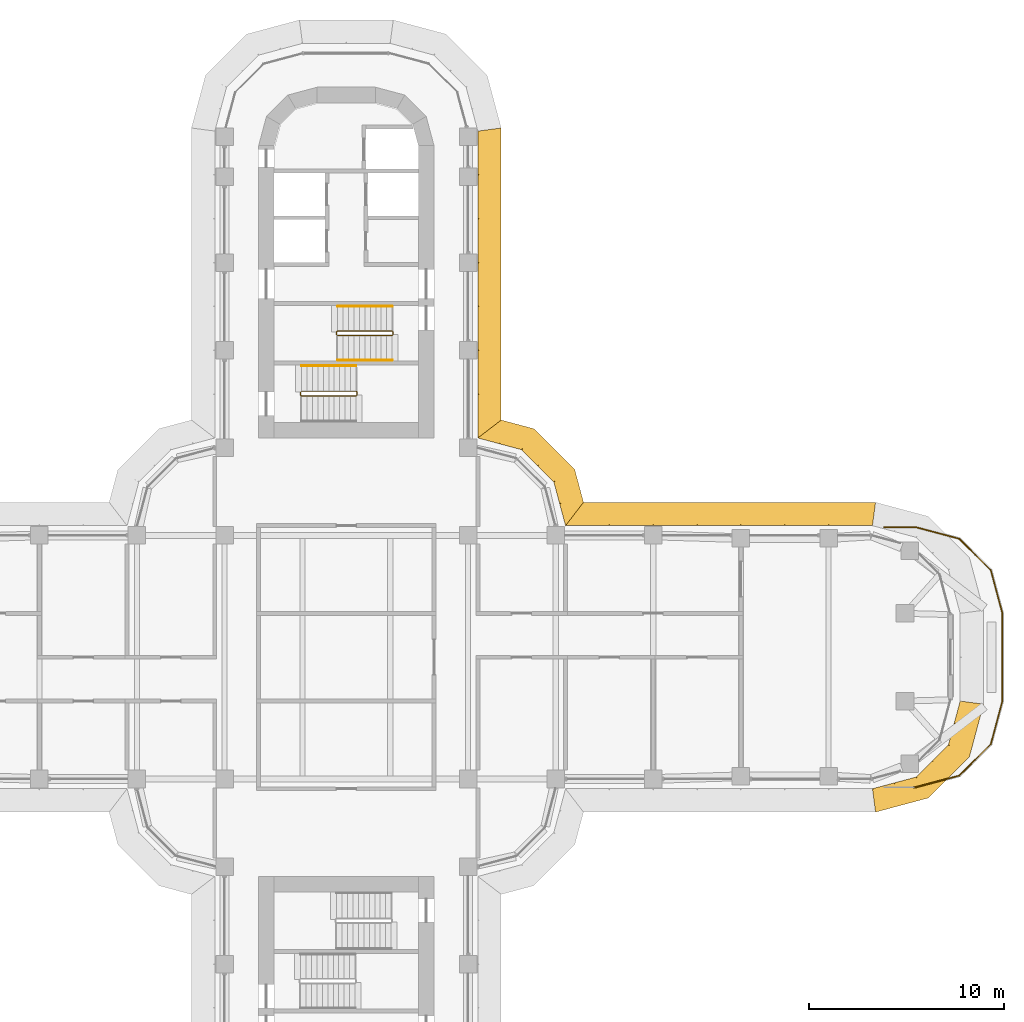
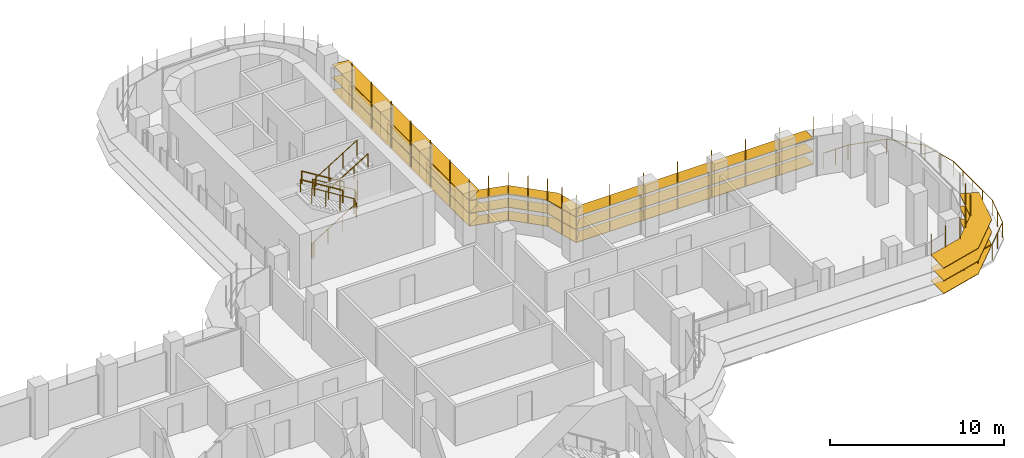
# One storey, part 21 of 22: 6 railings, 4 shading devices.
"""IFC4 building model written with IfcOpenShell, lengths in metres."""

from ifc_helpers import new_model, si_unit, direction, frame, origin, origin_2d, place, context, subcontext, project, spatial, polyline, circle, outline, extrude, faceted_brep, source, transform, mapped, material, type_object, element, save


model = new_model("IFC4")

# Units and contexts
model_context = context("Model", 3, precision=1e-05, world=origin(), true_north=direction((0.0, 1.0)))
body_context = subcontext(model_context, "Body", "Model", "MODEL_VIEW")
ifc_project = project(units=[si_unit("LENGTHUNIT", "METRE"), si_unit("AREAUNIT", "SQUARE_METRE"), si_unit("VOLUMEUNIT", "CUBIC_METRE"), si_unit("PLANEANGLEUNIT", "RADIAN"), si_unit("MASSUNIT", "GRAM", prefix="KILO")], contexts=[model_context])

# Site, building, storey
site_placement = place(None, origin())
site = spatial("IfcSite", under=ifc_project, at=site_placement, CompositionType="ELEMENT")
building_placement = place(site_placement, origin())
building = spatial("IfcBuilding", under=site, at=building_placement, Name="Zarbagh Exchange Tower", CompositionType="ELEMENT")
storey_placement = place(building_placement, frame((0.0, 0.0, 124.60009765625)))
storey = spatial("IfcBuildingStorey", under=building, at=storey_placement, Name="L29", CompositionType="ELEMENT", Elevation=124.60009765625)

# Railings
ifc_material_1 = material(Name="Stainless steel", Category="steel")
railing_type_1 = type_object("IfcRailingType", Name="Stair guard 1100 mm", PredefinedType="GUARDRAIL", material=ifc_material_1)
railing_1_placement = place(storey_placement, frame((-0.449951171875, 16.5, 2.072509765625)))
element("IfcRailing", 1, at=railing_1_placement, inside=storey, type_object=railing_type_1, Name="ST1 stair guard 1", PredefinedType="GUARDRAIL", context=body_context, shape_type="SweptSolid", body=[
    extrude(circle(Radius=0.02392578125, at=origin_2d()), frame((0.0, 0.0, 1.076171875), z_axis=(0.851089632645, 0.0, 0.525020415988), x_axis=(0.0, 1.0, 0.0)), (0.0, 0.0, 1.0), 3.2900390625),
    extrude(circle(Radius=0.02392578125, at=origin_2d()), frame((2.800048828125, 0.0, 2.80322265625), z_axis=(0.013104908129, 0.013169147875, -0.999827402569), x_axis=(-0.708833529934, 0.705375805398, 0.0)), (0.0, 0.0, 1.0), 3.800537109375),
    extrude(circle(Radius=0.02392578125, at=origin_2d()), frame((2.849853515625, 0.050048828125, -0.99658203125), z_axis=(0.0, 1.0, 0.0), x_axis=(-1.0, 0.0, 0.0)), (0.0, 0.0, 1.0), 0.14990234375),
    extrude(circle(Radius=0.02392578125, at=origin_2d()), frame((2.849853515625, 0.199951171875, -0.99658203125), z_axis=(-0.267062837333, 0.268371968888, 0.925556009775), x_axis=(-0.708833529934, -0.705375805398, 0.0)), (0.0, 0.0, 1.0), 0.1865234375),
    extrude(circle(Radius=0.02392578125, at=origin_2d()), frame((2.800048828125, 0.25, -0.82373046875), z_axis=(-0.851089632645, 0.0, 0.525020415988), x_axis=(0.0, -1.0, 0.0)), (0.0, 0.0, 1.0), 3.2900390625),
    extrude(circle(Radius=0.02392578125, at=origin_2d()), frame((0.0, 0.25, 0.9033203125), z_axis=(-0.707106781187, -0.707106781187, 0.0), x_axis=(0.707106781187, -0.707106781187, 0.0)), (0.0, 0.0, 1.0), 0.07080078125),
    extrude(circle(Radius=0.02392578125, at=origin_2d()), frame((-0.050048828125, 0.199951171875, 0.9033203125), z_axis=(0.0, -1.0, 0.0), x_axis=(1.0, 0.0, 0.0)), (0.0, 0.0, 1.0), 0.14990234375),
    extrude(circle(Radius=0.02099609375, at=origin_2d()), origin(), (0.0, 0.0, 1.0), 1.052001953125),
    extrude(circle(Radius=0.02099609375, at=origin_2d()), frame((0.933349609375, 0.0, 0.57568359375)), (0.0, 0.0, 1.0), 1.052001953125),
    extrude(circle(Radius=0.02099609375, at=origin_2d()), frame((1.86669921875, 0.0, 1.151611328125)), (0.0, 0.0, 1.0), 1.052001953125),
    extrude(circle(Radius=0.02099609375, at=origin_2d()), frame((2.800048828125, 0.0, 1.727294921875)), (0.0, 0.0, 1.0), 1.052001953125),
    extrude(circle(Radius=0.02099609375, at=origin_2d()), frame((2.8125, 0.012451171875, 0.77734375)), (0.0, 0.0, 1.0), 1.052001953125),
    extrude(circle(Radius=0.02099609375, at=origin_2d()), frame((2.824951171875, 0.02490234375, -0.172607421875)), (0.0, 0.0, 1.0), 1.052001953125),
    extrude(circle(Radius=0.02099609375, at=origin_2d()), frame((2.83740234375, 0.03759765625, -1.12255859375)), (0.0, 0.0, 1.0), 1.052001953125),
    extrude(circle(Radius=0.02099609375, at=origin_2d()), frame((2.849853515625, 0.050048828125, -2.072509765625)), (0.0, 0.0, 1.0), 1.052001953125),
    extrude(circle(Radius=0.02099609375, at=origin_2d()), frame((2.849853515625, 0.199951171875, -2.072509765625)), (0.0, 0.0, 1.0), 1.052001953125),
    extrude(circle(Radius=0.02099609375, at=origin_2d()), frame((2.800048828125, 0.25, -1.89990234375)), (0.0, 0.0, 1.0), 1.052001953125),
    extrude(circle(Radius=0.02099609375, at=origin_2d()), frame((1.86669921875, 0.25, -1.32421875)), (0.0, 0.0, 1.0), 1.052001953125),
    extrude(circle(Radius=0.02099609375, at=origin_2d()), frame((0.933349609375, 0.25, -0.748291015625)), (0.0, 0.0, 1.0), 1.052001953125),
    extrude(circle(Radius=0.02099609375, at=origin_2d()), frame((0.0, 0.25, -0.172607421875)), (0.0, 0.0, 1.0), 1.052001953125),
    extrude(circle(Radius=0.02099609375, at=origin_2d()), frame((-0.050048828125, 0.199951171875, -0.172607421875)), (0.0, 0.0, 1.0), 1.052001953125),
    extrude(circle(Radius=0.02099609375, at=origin_2d()), frame((-0.050048828125, 0.050048828125, -0.172607421875)), (0.0, 0.0, 1.0), 1.052001953125),
])
railing_2_placement = place(storey_placement, frame((-2.35009765625, 13.60009765625, 0.0)))
element("IfcRailing", 2, at=railing_2_placement, inside=storey, type_object=railing_type_1, Name="ST2 stair guard 1", PredefinedType="GUARDRAIL", context=body_context, shape_type="SweptSolid", body=[
    extrude(circle(Radius=0.02392578125, at=origin_2d()), frame((0.0, 0.0, 1.076171875), z_axis=(0.0, -1.0, 0.0), x_axis=(1.0, 0.0, 0.0)), (0.0, 0.0, 1.0), 0.150146484375),
    extrude(circle(Radius=0.02392578125, at=origin_2d()), frame((0.0, -0.150146484375, 1.076171875), z_axis=(0.268277960024, -0.268277960024, 0.925231793839), x_axis=(0.707106781187, 0.707106781187, 0.0)), (0.0, 0.0, 1.0), 0.1865234375),
    extrude(circle(Radius=0.02392578125, at=origin_2d()), frame((0.050048828125, -0.2001953125, 1.24853515625), z_axis=(0.851089632645, 0.0, 0.525020415988), x_axis=(0.0, 1.0, 0.0)), (0.0, 0.0, 1.0), 3.2900390625),
    extrude(circle(Radius=0.02392578125, at=origin_2d()), frame((2.85009765625, -0.2001953125, 2.97607421875), z_axis=(0.707106781187, 0.707106781187, 0.0), x_axis=(-0.707106781187, 0.707106781187, 0.0)), (0.0, 0.0, 1.0), 0.07080078125),
    extrude(circle(Radius=0.02392578125, at=origin_2d()), frame((2.900146484375, -0.150146484375, 2.97607421875), z_axis=(0.0, 1.0, 0.0), x_axis=(-1.0, 0.0, 0.0)), (0.0, 0.0, 1.0), 0.150146484375),
    extrude(circle(Radius=0.02392578125, at=origin_2d()), frame((2.900146484375, 0.0, 2.97607421875), z_axis=(-0.268371968888, 0.267062837333, 0.925556009775), x_axis=(-0.705375805398, -0.708833529934, 0.0)), (0.0, 0.0, 1.0), 0.1865234375),
    extrude(circle(Radius=0.02392578125, at=origin_2d()), frame((2.85009765625, 0.0498046875, 3.1484375), z_axis=(-0.851089632645, 0.0, 0.525020415988), x_axis=(0.0, -1.0, 0.0)), (0.0, 0.0, 1.0), 3.2900390625),
    extrude(circle(Radius=0.02099609375, at=origin_2d()), origin(), (0.0, 0.0, 1.0), 1.052001953125),
    extrude(circle(Radius=0.02099609375, at=origin_2d()), frame((0.0, -0.150146484375, 0.0)), (0.0, 0.0, 1.0), 1.052001953125),
    extrude(circle(Radius=0.02099609375, at=origin_2d()), frame((0.050048828125, -0.2001953125, 0.172607421875)), (0.0, 0.0, 1.0), 1.052001953125),
    extrude(circle(Radius=0.02099609375, at=origin_2d()), frame((0.9833984375, -0.2001953125, 0.748291015625)), (0.0, 0.0, 1.0), 1.052001953125),
    extrude(circle(Radius=0.02099609375, at=origin_2d()), frame((1.916748046875, -0.2001953125, 1.32421875)), (0.0, 0.0, 1.0), 1.052001953125),
    extrude(circle(Radius=0.02099609375, at=origin_2d()), frame((2.85009765625, -0.2001953125, 1.89990234375)), (0.0, 0.0, 1.0), 1.052001953125),
    extrude(circle(Radius=0.02099609375, at=origin_2d()), frame((2.900146484375, -0.150146484375, 1.89990234375)), (0.0, 0.0, 1.0), 1.052001953125),
    extrude(circle(Radius=0.02099609375, at=origin_2d()), frame((2.900146484375, 0.0, 1.89990234375)), (0.0, 0.0, 1.0), 1.052001953125),
    extrude(circle(Radius=0.02099609375, at=origin_2d()), frame((2.85009765625, 0.0498046875, 2.072509765625)), (0.0, 0.0, 1.0), 1.052001953125),
    extrude(circle(Radius=0.02099609375, at=origin_2d()), frame((1.916748046875, 0.0498046875, 2.648193359375)), (0.0, 0.0, 1.0), 1.052001953125),
    extrude(circle(Radius=0.02099609375, at=origin_2d()), frame((0.9833984375, 0.0498046875, 3.22412109375)), (0.0, 0.0, 1.0), 1.052001953125),
    extrude(circle(Radius=0.02099609375, at=origin_2d()), frame((0.050048828125, 0.0498046875, 3.7998046875)), (0.0, 0.0, 1.0), 1.052001953125),
])
railing_type_2 = type_object("IfcRailingType", Name="Stair handrail 900 mm", PredefinedType="HANDRAIL", material=ifc_material_1)
railing_3_placement = place(storey_placement, frame((2.35009765625, 18.0, 0.172607421875)))
element("IfcRailing", 3, at=railing_3_placement, inside=storey, type_object=railing_type_2, Name="ST1 stair handrail 1", PredefinedType="HANDRAIL", context=body_context, shape_type="SweptSolid", body=[
    extrude(circle(Radius=0.02392578125, at=origin_2d()), frame((0.0, 0.0, 0.8759765625), z_axis=(-0.851089632645, 0.0, 0.525020415988), x_axis=(0.0, -1.0, 0.0)), (0.0, 0.0, 1.0), 3.2900390625),
    extrude(circle(Radius=0.02099609375, at=origin_2d()), origin(), (0.0, 0.0, 1.0), 0.851806640625),
    extrude(circle(Radius=0.02099609375, at=origin_2d()), frame((-0.933349609375, 0.0, 0.57568359375)), (0.0, 0.0, 1.0), 0.851806640625),
    extrude(circle(Radius=0.02099609375, at=origin_2d()), frame((-1.86669921875, 0.0, 1.151611328125)), (0.0, 0.0, 1.0), 0.851806640625),
    extrude(circle(Radius=0.02099609375, at=origin_2d()), frame((-2.800048828125, 0.0, 1.727294921875)), (0.0, 0.0, 1.0), 0.851806640625),
])
railing_4_placement = place(storey_placement, frame((-0.449951171875, 15.25, 2.072509765625)))
element("IfcRailing", 4, at=railing_4_placement, inside=storey, type_object=railing_type_2, Name="ST1 stair handrail 2", PredefinedType="HANDRAIL", context=body_context, shape_type="SweptSolid", body=[
    extrude(circle(Radius=0.02392578125, at=origin_2d()), frame((0.0, 0.0, 0.8759765625), z_axis=(0.851089632645, 0.0, 0.525020415988), x_axis=(0.0, 1.0, 0.0)), (0.0, 0.0, 1.0), 3.2900390625),
    extrude(circle(Radius=0.02099609375, at=origin_2d()), origin(), (0.0, 0.0, 1.0), 0.851806640625),
    extrude(circle(Radius=0.02099609375, at=origin_2d()), frame((0.933349609375, 0.0, 0.57568359375)), (0.0, 0.0, 1.0), 0.851806640625),
    extrude(circle(Radius=0.02099609375, at=origin_2d()), frame((1.86669921875, 0.0, 1.151611328125)), (0.0, 0.0, 1.0), 0.851806640625),
    extrude(circle(Radius=0.02099609375, at=origin_2d()), frame((2.800048828125, 0.0, 1.727294921875)), (0.0, 0.0, 1.0), 0.851806640625),
])
railing_5_placement = place(storey_placement, frame((0.5, 14.949951171875, 2.072509765625)))
element("IfcRailing", 5, at=railing_5_placement, inside=storey, type_object=railing_type_2, Name="ST2 stair handrail 2", PredefinedType="HANDRAIL", context=body_context, shape_type="SweptSolid", body=[
    extrude(circle(Radius=0.02392578125, at=origin_2d()), frame((0.0, 0.0, 0.8759765625), z_axis=(-0.851089632645, 0.0, 0.525020415988), x_axis=(0.0, -1.0, 0.0)), (0.0, 0.0, 1.0), 3.2900390625),
    extrude(circle(Radius=0.02099609375, at=origin_2d()), origin(), (0.0, 0.0, 1.0), 0.851806640625),
    extrude(circle(Radius=0.02099609375, at=origin_2d()), frame((-0.933349609375, 0.0, 0.57568359375)), (0.0, 0.0, 1.0), 0.851806640625),
    extrude(circle(Radius=0.02099609375, at=origin_2d()), frame((-1.86669921875, 0.0, 1.151611328125)), (0.0, 0.0, 1.0), 0.851806640625),
    extrude(circle(Radius=0.02099609375, at=origin_2d()), frame((-2.800048828125, 0.0, 1.727294921875)), (0.0, 0.0, 1.0), 0.851806640625),
])
ifc_material_2 = material(Name="Stainless steel and laminated glass", Category="steel")
railing_type_3 = type_object("IfcRailingType", Name="Terrace guard, glass balustrade 1.1 m", PredefinedType="GUARDRAIL", material=ifc_material_2)
railing_6_placement = place(storey_placement, frame((27.607666015625, 6.669921875, 0.0)))
element("IfcRailing", 6, at=railing_6_placement, inside=storey, type_object=railing_type_3, Name="TG01 terrace guard", PredefinedType="GUARDRAIL", context=body_context, shape_type="SweptSolid", body=[
    extrude(circle(Radius=0.02490234375, at=origin_2d()), frame((0.0, 0.0, 1.0751953125), z_axis=(1.0, 0.0, 0.0), x_axis=(0.0, 1.0, 0.0)), (0.0, 0.0, 1.0), 1.6318359375),
    extrude(circle(Radius=0.02490234375, at=origin_2d()), frame((1.6318359375, 0.0, 1.0751953125), z_axis=(0.965936192935, -0.258780353152, 0.0), x_axis=(0.258780353152, 0.965936192935, 0.0)), (0.0, 0.0, 1.0), 2.29736328125),
    extrude(circle(Radius=0.02490234375, at=origin_2d()), frame((3.850830078125, -0.594482421875, 1.0751953125), z_axis=(0.707106781187, -0.707106781187, 0.0), x_axis=(0.707106781187, 0.707106781187, 0.0)), (0.0, 0.0, 1.0), 2.28662109375),
    extrude(circle(Radius=0.02490234375, at=origin_2d()), frame((5.4677734375, -2.21142578125, 1.0751953125), z_axis=(0.258780353152, -0.965936192935, 0.0), x_axis=(0.965936192935, 0.258780353152, 0.0)), (0.0, 0.0, 1.0), 2.29736328125),
    extrude(circle(Radius=0.02490234375, at=origin_2d()), frame((6.062255859375, -4.430419921875, 1.0751953125), z_axis=(0.0, -1.0, 0.0), x_axis=(1.0, 0.0, 0.0)), (0.0, 0.0, 1.0), 4.47900390625),
    extrude(circle(Radius=0.02490234375, at=origin_2d()), frame((6.062255859375, -8.909423828125, 1.0751953125), z_axis=(-0.258780353152, -0.965936192935, 0.0), x_axis=(0.965936192935, -0.258780353152, 0.0)), (0.0, 0.0, 1.0), 2.29736328125),
    extrude(circle(Radius=0.02490234375, at=origin_2d()), frame((5.4677734375, -11.12841796875, 1.0751953125), z_axis=(-0.707106781187, -0.707106781187, 0.0), x_axis=(0.707106781187, -0.707106781187, 0.0)), (0.0, 0.0, 1.0), 2.28662109375),
    extrude(circle(Radius=0.02490234375, at=origin_2d()), frame((3.850830078125, -12.745361328125, 1.0751953125), z_axis=(-0.965936192935, -0.258780353152, 0.0), x_axis=(0.258780353152, -0.965936192935, 0.0)), (0.0, 0.0, 1.0), 2.29736328125),
    extrude(circle(Radius=0.02490234375, at=origin_2d()), frame((1.6318359375, -13.33984375, 1.0751953125), z_axis=(-1.0, 0.0, 0.0), x_axis=(0.0, -1.0, 0.0)), (0.0, 0.0, 1.0), 0.126708984375),
    extrude(circle(Radius=0.02490234375, at=origin_2d()), origin(), (0.0, 0.0, 1.0), 1.050048828125),
    extrude(circle(Radius=0.02490234375, at=origin_2d()), frame((0.81591796875, 0.0, 0.0)), (0.0, 0.0, 1.0), 1.050048828125),
    extrude(circle(Radius=0.02490234375, at=origin_2d()), frame((1.6318359375, 0.0, 0.0)), (0.0, 0.0, 1.0), 1.050048828125),
    extrude(circle(Radius=0.02490234375, at=origin_2d()), frame((2.7412109375, -0.29736328125, 0.0)), (0.0, 0.0, 1.0), 1.050048828125),
    extrude(circle(Radius=0.02490234375, at=origin_2d()), frame((3.850830078125, -0.594482421875, 0.0)), (0.0, 0.0, 1.0), 1.050048828125),
    extrude(circle(Radius=0.02490234375, at=origin_2d()), frame((4.6591796875, -1.40283203125, 0.0)), (0.0, 0.0, 1.0), 1.050048828125),
    extrude(circle(Radius=0.02490234375, at=origin_2d()), frame((5.4677734375, -2.21142578125, 0.0)), (0.0, 0.0, 1.0), 1.050048828125),
    extrude(circle(Radius=0.02490234375, at=origin_2d()), frame((5.76513671875, -3.32080078125, 0.0)), (0.0, 0.0, 1.0), 1.050048828125),
    extrude(circle(Radius=0.02490234375, at=origin_2d()), frame((6.062255859375, -4.430419921875, 0.0)), (0.0, 0.0, 1.0), 1.050048828125),
    extrude(circle(Radius=0.02490234375, at=origin_2d()), frame((6.062255859375, -5.55029296875, 0.0)), (0.0, 0.0, 1.0), 1.050048828125),
    extrude(circle(Radius=0.02490234375, at=origin_2d()), frame((6.062255859375, -6.669921875, 0.0)), (0.0, 0.0, 1.0), 1.050048828125),
    extrude(circle(Radius=0.02490234375, at=origin_2d()), frame((6.062255859375, -7.78955078125, 0.0)), (0.0, 0.0, 1.0), 1.050048828125),
    extrude(circle(Radius=0.02490234375, at=origin_2d()), frame((6.062255859375, -8.909423828125, 0.0)), (0.0, 0.0, 1.0), 1.050048828125),
    extrude(circle(Radius=0.02490234375, at=origin_2d()), frame((5.76513671875, -10.01904296875, 0.0)), (0.0, 0.0, 1.0), 1.050048828125),
    extrude(circle(Radius=0.02490234375, at=origin_2d()), frame((5.4677734375, -11.12841796875, 0.0)), (0.0, 0.0, 1.0), 1.050048828125),
    extrude(circle(Radius=0.02490234375, at=origin_2d()), frame((4.6591796875, -11.93701171875, 0.0)), (0.0, 0.0, 1.0), 1.050048828125),
    extrude(circle(Radius=0.02490234375, at=origin_2d()), frame((3.850830078125, -12.745361328125, 0.0)), (0.0, 0.0, 1.0), 1.050048828125),
    extrude(circle(Radius=0.02490234375, at=origin_2d()), frame((2.7412109375, -13.04248046875, 0.0)), (0.0, 0.0, 1.0), 1.050048828125),
    extrude(circle(Radius=0.02490234375, at=origin_2d()), frame((1.6318359375, -13.33984375, 0.0)), (0.0, 0.0, 1.0), 1.050048828125),
    extrude(circle(Radius=0.02490234375, at=origin_2d()), frame((1.505126953125, -13.33984375, 0.0)), (0.0, 0.0, 1.0), 1.050048828125),
])

# Shading devices
ifc_material_3 = material(Name="Anodised aluminium blades and brackets", Category="aluminium")
shading_device_type = type_object("IfcShadingDeviceType", Name="SUNSHADE louvre band, 11.25 degree blades", PredefinedType="JALOUSIE", material=ifc_material_3)
shared_shape_1 = source(origin(), body_context, "Body", "Brep", [
    faceted_brep([(0.0, 0.0, 0.0), (0.0, 0.0, -0.040771484375), (-0.157958984375, -1.199951171875, -0.279541015625), (-0.157958984375, -1.199951171875, -0.23876953125), (2.65087890625, -1.199951171875, -0.23876953125), (2.65087890625, -1.199951171875, -0.279541015625), (2.329345703125, 0.0, -0.040771484375), (2.329345703125, 0.0, 0.0)], [[[0, 1, 2, 3]], [[4, 5, 6, 7]], [[0, 7, 6, 1]], [[1, 6, 5, 2]], [[2, 5, 4, 3]], [[3, 4, 7, 0]]]),
])
shared_shape_2 = source(origin(), body_context, "Body", "Brep", [
    faceted_brep([(0.0, 0.0, 0.0), (0.0, 0.0, -0.040771484375), (-0.321533203125, -1.199951171875, -0.279541015625), (-0.321533203125, -1.199951171875, -0.23876953125), (2.65087890625, -1.199951171875, -0.23876953125), (2.65087890625, -1.199951171875, -0.279541015625), (2.329345703125, 0.0, -0.040771484375), (2.329345703125, 0.0, 0.0)], [[[0, 1, 2, 3]], [[4, 5, 6, 7]], [[0, 7, 6, 1]], [[1, 6, 5, 2]], [[2, 5, 4, 3]], [[3, 4, 7, 0]]]),
])
shared_shape_3 = source(origin(), body_context, "Body", "Brep", [
    faceted_brep([(0.0, 0.0, 0.0), (0.0, 0.0, -0.040771484375), (-0.321533203125, -1.199951171875, -0.279541015625), (-0.321533203125, -1.199951171875, -0.23876953125), (2.4873046875, -1.199951171875, -0.23876953125), (2.4873046875, -1.199951171875, -0.279541015625), (2.329345703125, 0.0, -0.040771484375), (2.329345703125, 0.0, 0.0)], [[[0, 1, 2, 3]], [[4, 5, 6, 7]], [[0, 7, 6, 1]], [[1, 6, 5, 2]], [[2, 5, 4, 3]], [[3, 4, 7, 0]]]),
])
shared_shape_4 = source(origin(), body_context, "Body", "SweptSolid", [
    extrude(outline(polyline([(0.0, -0.012451171875), (0.06005859375, -0.012451171875), (0.06005859375, 0.012451171875), (0.0, 0.012451171875), (0.0, -0.012451171875)])), origin(), (0.0, 0.0, 1.0), 3.350830078125),
])
placement = place(storey_placement, origin())
element("IfcShadingDevice", 7, at=placement, inside=storey, type_object=shading_device_type, Name="SS31 sunshade band", PredefinedType="JALOUSIE", context=body_context, shape_type="MappedRepresentation", body=[
    mapped(shared_shape_1, transform((27.0, -6.75, 2.2998046875), x_axis=(0.965924289636, 0.258824779902, 0.0), y_axis=(-0.258824779902, 0.965924289636, 0.0), z_axis=(0.0, 0.0, 1.0))),
    mapped(shared_shape_1, transform((27.0, -6.75, 1.39990234375), x_axis=(0.965924289636, 0.258824779902, 0.0), y_axis=(-0.258824779902, 0.965924289636, 0.0), z_axis=(0.0, 0.0, 1.0))),
    mapped(shared_shape_1, transform((27.0, -6.75, 0.5), x_axis=(0.965924289636, 0.258824779902, 0.0), y_axis=(-0.258824779902, 0.965924289636, 0.0), z_axis=(0.0, 0.0, 1.0))),
    mapped(shared_shape_2, transform((29.25, -6.147216796875, 2.2998046875), x_axis=(0.707106781187, 0.707106781187, 0.0), y_axis=(-0.707106781187, 0.707106781187, 0.0), z_axis=(0.0, 0.0, 1.0))),
    mapped(shared_shape_2, transform((29.25, -6.147216796875, 1.39990234375), x_axis=(0.707106781187, 0.707106781187, 0.0), y_axis=(-0.707106781187, 0.707106781187, 0.0), z_axis=(0.0, 0.0, 1.0))),
    mapped(shared_shape_2, transform((29.25, -6.147216796875, 0.5), x_axis=(0.707106781187, 0.707106781187, 0.0), y_axis=(-0.707106781187, 0.707106781187, 0.0), z_axis=(0.0, 0.0, 1.0))),
    mapped(shared_shape_3, transform((30.897216796875, -4.5, 2.2998046875), x_axis=(0.258824779902, 0.965924289636, 0.0), y_axis=(-0.965924289636, 0.258824779902, 0.0), z_axis=(0.0, 0.0, 1.0))),
    mapped(shared_shape_3, transform((30.897216796875, -4.5, 1.39990234375), x_axis=(0.258824779902, 0.965924289636, 0.0), y_axis=(-0.965924289636, 0.258824779902, 0.0), z_axis=(0.0, 0.0, 1.0))),
    mapped(shared_shape_3, transform((30.897216796875, -4.5, 0.5), x_axis=(0.258824779902, 0.965924289636, 0.0), y_axis=(-0.965924289636, 0.258824779902, 0.0), z_axis=(0.0, 0.0, 1.0))),
    mapped(shared_shape_4, transform((27.0, -6.75, 0.42919921875), x_axis=(0.130529263012, -0.991444457092, 0.0), y_axis=(0.991444457092, 0.130529263012, 0.0), z_axis=(0.0, 0.0, 1.0))),
    mapped(shared_shape_4, transform((28.125, -6.448486328125, 0.42919921875), x_axis=(0.258825058029, -0.96592421511, 0.0), y_axis=(0.96592421511, 0.258825058029, 0.0), z_axis=(0.0, 0.0, 1.0))),
    mapped(shared_shape_4, transform((29.25, -6.147216796875, 0.42919921875), x_axis=(0.50000275701, -0.866023812018, 0.0), y_axis=(0.866023812018, 0.50000275701, 0.0), z_axis=(0.0, 0.0, 1.0))),
    mapped(shared_shape_4, transform((30.073486328125, -5.323486328125, 0.42919921875), x_axis=(0.707106781187, -0.707106781187, 0.0), y_axis=(0.707106781187, 0.707106781187, 0.0), z_axis=(0.0, 0.0, 1.0))),
    mapped(shared_shape_4, transform((30.897216796875, -4.5, 0.42919921875), x_axis=(0.866023812018, -0.50000275701, 0.0), y_axis=(0.50000275701, 0.866023812018, 0.0), z_axis=(0.0, 0.0, 1.0))),
    mapped(shared_shape_4, transform((31.198486328125, -3.375, 0.42919921875), x_axis=(0.96592421511, -0.258825058029, 0.0), y_axis=(0.258825058029, 0.96592421511, 0.0), z_axis=(0.0, 0.0, 1.0))),
])
shared_shape_5 = source(origin(), body_context, "Body", "Brep", [
    faceted_brep([(0.0, 0.0, 0.0), (0.0, 0.0, -0.040771484375), (0.9208984375, -1.199951171875, -0.279541015625), (0.9208984375, -1.199951171875, -0.23876953125), (2.65087890625, -1.199951171875, -0.23876953125), (2.65087890625, -1.199951171875, -0.279541015625), (2.329345703125, 0.0, -0.040771484375), (2.329345703125, 0.0, 0.0)], [[[0, 1, 2, 3]], [[4, 5, 6, 7]], [[0, 7, 6, 1]], [[1, 6, 5, 2]], [[2, 5, 4, 3]], [[3, 4, 7, 0]]]),
])
shared_shape_6 = source(origin(), body_context, "Body", "Brep", [
    faceted_brep([(0.0, 0.0, 0.0), (0.0, 0.0, -0.040771484375), (-0.321533203125, -1.199951171875, -0.279541015625), (-0.321533203125, -1.199951171875, -0.23876953125), (1.40869140625, -1.199951171875, -0.23876953125), (1.40869140625, -1.199951171875, -0.279541015625), (2.329345703125, 0.0, -0.040771484375), (2.329345703125, 0.0, 0.0)], [[[0, 1, 2, 3]], [[4, 5, 6, 7]], [[0, 7, 6, 1]], [[1, 6, 5, 2]], [[2, 5, 4, 3]], [[3, 4, 7, 0]]]),
])
element("IfcShadingDevice", 8, at=placement, inside=storey, type_object=shading_device_type, Name="SS09 sunshade band", PredefinedType="JALOUSIE", context=body_context, shape_type="MappedRepresentation", body=[
    mapped(shared_shape_5, transform((11.25, 6.75, 2.2998046875), x_axis=(-0.258824779902, 0.965924289636, 0.0), y_axis=(-0.965924289636, -0.258824779902, 0.0), z_axis=(0.0, 0.0, 1.0))),
    mapped(shared_shape_5, transform((11.25, 6.75, 1.39990234375), x_axis=(-0.258824779902, 0.965924289636, 0.0), y_axis=(-0.965924289636, -0.258824779902, 0.0), z_axis=(0.0, 0.0, 1.0))),
    mapped(shared_shape_5, transform((11.25, 6.75, 0.5), x_axis=(-0.258824779902, 0.965924289636, 0.0), y_axis=(-0.965924289636, -0.258824779902, 0.0), z_axis=(0.0, 0.0, 1.0))),
    mapped(shared_shape_2, transform((10.647216796875, 9.0, 2.2998046875), x_axis=(-0.707106781187, 0.707106781187, 0.0), y_axis=(-0.707106781187, -0.707106781187, 0.0), z_axis=(0.0, 0.0, 1.0))),
    mapped(shared_shape_2, transform((10.647216796875, 9.0, 1.39990234375), x_axis=(-0.707106781187, 0.707106781187, 0.0), y_axis=(-0.707106781187, -0.707106781187, 0.0), z_axis=(0.0, 0.0, 1.0))),
    mapped(shared_shape_2, transform((10.647216796875, 9.0, 0.5), x_axis=(-0.707106781187, 0.707106781187, 0.0), y_axis=(-0.707106781187, -0.707106781187, 0.0), z_axis=(0.0, 0.0, 1.0))),
    mapped(shared_shape_6, transform((9.0, 10.647216796875, 2.2998046875), x_axis=(-0.965924289636, 0.258824779902, 0.0), y_axis=(-0.258824779902, -0.965924289636, 0.0), z_axis=(0.0, 0.0, 1.0))),
    mapped(shared_shape_6, transform((9.0, 10.647216796875, 1.39990234375), x_axis=(-0.965924289636, 0.258824779902, 0.0), y_axis=(-0.258824779902, -0.965924289636, 0.0), z_axis=(0.0, 0.0, 1.0))),
    mapped(shared_shape_6, transform((9.0, 10.647216796875, 0.5), x_axis=(-0.965924289636, 0.258824779902, 0.0), y_axis=(-0.258824779902, -0.965924289636, 0.0), z_axis=(0.0, 0.0, 1.0))),
    mapped(shared_shape_4, transform((11.25, 6.75, 0.42919921875), x_axis=(0.608758892, 0.793355287, 0.0), y_axis=(-0.793355287, 0.608758892, 0.0), z_axis=(0.0, 0.0, 1.0))),
    mapped(shared_shape_4, transform((10.948486328125, 7.875, 0.42919921875), x_axis=(0.96592421511, 0.258825058029, 0.0), y_axis=(-0.258825058029, 0.96592421511, 0.0), z_axis=(0.0, 0.0, 1.0))),
    mapped(shared_shape_4, transform((10.647216796875, 9.0, 0.42919921875), x_axis=(0.866023812018, 0.50000275701, 0.0), y_axis=(-0.50000275701, 0.866023812018, 0.0), z_axis=(0.0, 0.0, 1.0))),
    mapped(shared_shape_4, transform((9.823486328125, 9.823486328125, 0.42919921875), x_axis=(0.707106781187, 0.707106781187, 0.0), y_axis=(-0.707106781187, 0.707106781187, 0.0), z_axis=(0.0, 0.0, 1.0))),
    mapped(shared_shape_4, transform((9.0, 10.647216796875, 0.42919921875), x_axis=(0.50000275701, 0.866023812018, 0.0), y_axis=(-0.866023812018, 0.50000275701, 0.0), z_axis=(0.0, 0.0, 1.0))),
    mapped(shared_shape_4, transform((7.875, 10.948486328125, 0.42919921875), x_axis=(0.258825058029, 0.96592421511, 0.0), y_axis=(-0.96592421511, 0.258825058029, 0.0), z_axis=(0.0, 0.0, 1.0))),
])
shared_shape_7 = source(origin(), body_context, "Body", "Brep", [
    faceted_brep([(0.0, 0.0, 0.0), (0.0, 0.0, -0.040771484375), (-0.157958984375, -1.199951171875, -0.279541015625), (-0.157958984375, -1.199951171875, -0.23876953125), (14.8291015625, -1.199951171875, -0.23876953125), (14.8291015625, -1.199951171875, -0.279541015625), (15.75, 0.0, -0.040771484375), (15.75, 0.0, 0.0)], [[[0, 1, 2, 3]], [[4, 5, 6, 7]], [[0, 7, 6, 1]], [[1, 6, 5, 2]], [[2, 5, 4, 3]], [[3, 4, 7, 0]]]),
])
element("IfcShadingDevice", 9, at=placement, inside=storey, type_object=shading_device_type, Name="SS34 sunshade band", PredefinedType="JALOUSIE", context=body_context, shape_type="MappedRepresentation", body=[
    mapped(shared_shape_7, transform((27.0, 6.75, 2.2998046875), x_axis=(-1.0, 0.0, 0.0), y_axis=(0.0, -1.0, 0.0), z_axis=(0.0, 0.0, 1.0))),
    mapped(shared_shape_7, transform((27.0, 6.75, 1.39990234375), x_axis=(-1.0, 0.0, 0.0), y_axis=(0.0, -1.0, 0.0), z_axis=(0.0, 0.0, 1.0))),
    mapped(shared_shape_7, transform((27.0, 6.75, 0.5), x_axis=(-1.0, 0.0, 0.0), y_axis=(0.0, -1.0, 0.0), z_axis=(0.0, 0.0, 1.0))),
    mapped(shared_shape_4, transform((27.0, 6.75, 0.42919921875), x_axis=(0.130529263012, 0.991444457092, 0.0), y_axis=(-0.991444457092, 0.130529263012, 0.0), z_axis=(0.0, 0.0, 1.0))),
    mapped(shared_shape_4, transform((24.75, 6.75, 0.42919921875), x_axis=(0.0, 1.0, 0.0), y_axis=(-1.0, 0.0, 0.0), z_axis=(0.0, 0.0, 1.0))),
    mapped(shared_shape_4, transform((22.5, 6.75, 0.42919921875), x_axis=(0.0, 1.0, 0.0), y_axis=(-1.0, 0.0, 0.0), z_axis=(0.0, 0.0, 1.0))),
    mapped(shared_shape_4, transform((20.25, 6.75, 0.42919921875), x_axis=(0.0, 1.0, 0.0), y_axis=(-1.0, 0.0, 0.0), z_axis=(0.0, 0.0, 1.0))),
    mapped(shared_shape_4, transform((18.0, 6.75, 0.42919921875), x_axis=(0.0, 1.0, 0.0), y_axis=(-1.0, 0.0, 0.0), z_axis=(0.0, 0.0, 1.0))),
    mapped(shared_shape_4, transform((15.75, 6.75, 0.42919921875), x_axis=(0.0, 1.0, 0.0), y_axis=(-1.0, 0.0, 0.0), z_axis=(0.0, 0.0, 1.0))),
    mapped(shared_shape_4, transform((13.5, 6.75, 0.42919921875), x_axis=(0.0, 1.0, 0.0), y_axis=(-1.0, 0.0, 0.0), z_axis=(0.0, 0.0, 1.0))),
])
shared_shape_8 = source(origin(), body_context, "Body", "Brep", [
    faceted_brep([(0.0, 0.0, 0.0), (0.0, 0.0, -0.040771484375), (0.9208984375, -1.199951171875, -0.279541015625), (0.9208984375, -1.199951171875, -0.23876953125), (15.907958984375, -1.199951171875, -0.23876953125), (15.907958984375, -1.199951171875, -0.279541015625), (15.75, 0.0, -0.040771484375), (15.75, 0.0, 0.0)], [[[0, 1, 2, 3]], [[4, 5, 6, 7]], [[0, 7, 6, 1]], [[1, 6, 5, 2]], [[2, 5, 4, 3]], [[3, 4, 7, 0]]]),
])
element("IfcShadingDevice", 10, at=placement, inside=storey, type_object=shading_device_type, Name="SS25 sunshade band", PredefinedType="JALOUSIE", context=body_context, shape_type="MappedRepresentation", body=[
    mapped(shared_shape_8, transform((6.75, 11.25, 2.2998046875), x_axis=(0.0, 1.0, 0.0), y_axis=(-1.0, 0.0, 0.0), z_axis=(0.0, 0.0, 1.0))),
    mapped(shared_shape_8, transform((6.75, 11.25, 1.39990234375), x_axis=(0.0, 1.0, 0.0), y_axis=(-1.0, 0.0, 0.0), z_axis=(0.0, 0.0, 1.0))),
    mapped(shared_shape_8, transform((6.75, 11.25, 0.5), x_axis=(0.0, 1.0, 0.0), y_axis=(-1.0, 0.0, 0.0), z_axis=(0.0, 0.0, 1.0))),
    mapped(shared_shape_4, transform((6.75, 11.25, 0.42919921875), x_axis=(0.793355287, 0.608758892, 0.0), y_axis=(-0.608758892, 0.793355287, 0.0), z_axis=(0.0, 0.0, 1.0))),
    mapped(shared_shape_4, transform((6.75, 13.5, 0.42919921875), x_axis=(1.0, 0.0, 0.0), y_axis=(0.0, 1.0, 0.0), z_axis=(0.0, 0.0, 1.0))),
    mapped(shared_shape_4, transform((6.75, 15.75, 0.42919921875), x_axis=(1.0, 0.0, 0.0), y_axis=(0.0, 1.0, 0.0), z_axis=(0.0, 0.0, 1.0))),
    mapped(shared_shape_4, transform((6.75, 18.0, 0.42919921875), x_axis=(1.0, 0.0, 0.0), y_axis=(0.0, 1.0, 0.0), z_axis=(0.0, 0.0, 1.0))),
    mapped(shared_shape_4, transform((6.75, 20.25, 0.42919921875), x_axis=(1.0, 0.0, 0.0), y_axis=(0.0, 1.0, 0.0), z_axis=(0.0, 0.0, 1.0))),
    mapped(shared_shape_4, transform((6.75, 22.5, 0.42919921875), x_axis=(1.0, 0.0, 0.0), y_axis=(0.0, 1.0, 0.0), z_axis=(0.0, 0.0, 1.0))),
    mapped(shared_shape_4, transform((6.75, 24.75, 0.42919921875), x_axis=(1.0, 0.0, 0.0), y_axis=(0.0, 1.0, 0.0), z_axis=(0.0, 0.0, 1.0))),
])

save(model, "model.ifc")
